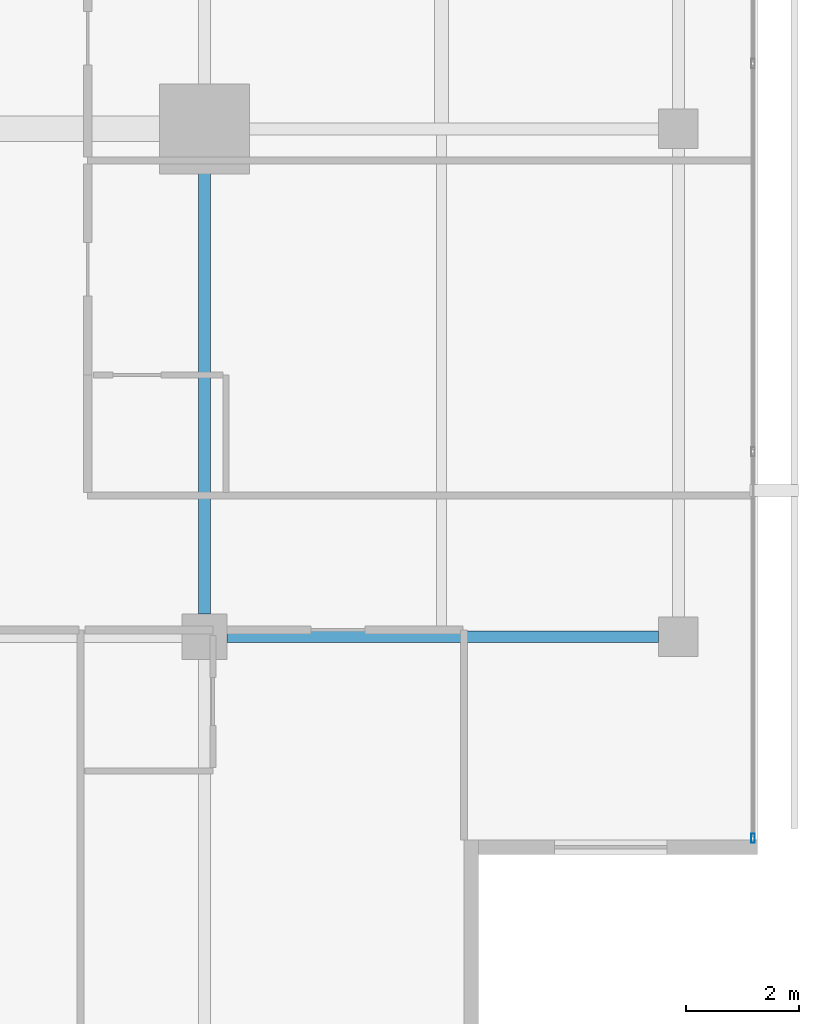
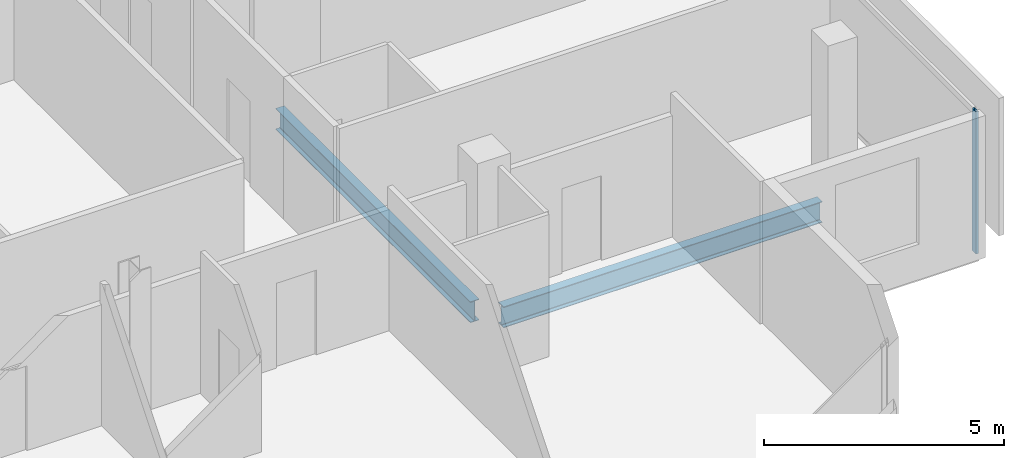
# One storey, part 11 of 26: 2 beams, 1 member, 1 element without a shape of its own.
"""IFC4 building model written with IfcOpenShell, lengths in metres."""

from ifc_helpers import new_model, si_unit, direction, frame, origin, origin_2d, place, context, subcontext, project, spatial, hollow_rectangle, i_section, extrude, material, layer, layer_set, material_profile, profile_set, type_object, element, aggregate, save


model = new_model("IFC4")

# Units and contexts
model_context = context("Model", 3, precision=1e-05, world=origin(), true_north=direction((0.0, 1.0)))
body_context = subcontext(model_context, "Body", "Model", "MODEL_VIEW")
ifc_project = project(units=[si_unit("LENGTHUNIT", "METRE"), si_unit("AREAUNIT", "SQUARE_METRE"), si_unit("VOLUMEUNIT", "CUBIC_METRE"), si_unit("PLANEANGLEUNIT", "RADIAN"), si_unit("MASSUNIT", "GRAM", prefix="KILO")], contexts=[model_context])

# Site, building, storey
site_placement = place(None, origin())
site = spatial("IfcSite", under=ifc_project, at=site_placement, CompositionType="ELEMENT")
building_placement = place(site_placement, origin())
building = spatial("IfcBuilding", under=site, at=building_placement, Name="Maruvema Waterfront Hotel and Observation Tower", CompositionType="ELEMENT")
storey_placement = place(building_placement, frame((0.0, 0.0, 266.35009765625)))
storey = spatial("IfcBuildingStorey", under=building, at=storey_placement, Name="L65", CompositionType="ELEMENT", Elevation=266.35009765625)

# Curtain wall, member
ifc_material_1 = material(Name="Anodised bronze aluminium and solar-control low-E IGU", Category="aluminium")
ifc_layer = layer(ifc_material_1, 0.159912109375, Name="Zone 3 Champagne Inner Thermal Curtain Wall System CW-04")
ifc_layer_set = layer_set([ifc_layer], Name="Anodised bronze aluminium and solar-control low-E IGU")
curtain_wall_type = type_object("IfcCurtainWallType", Name="Zone 3 Champagne Inner Thermal Curtain Wall System CW-04", PredefinedType="USERDEFINED", material=ifc_layer_set)
curtain_wall_placement = place(storey_placement, origin())
curtain_wall = element("IfcCurtainWall", 1, at=curtain_wall_placement, inside=storey, type_object=curtain_wall_type, Name="L65 Curtain Wall CW-L65-E", ObjectType="UNITISED CURTAIN WALL", PredefinedType="USERDEFINED")
ifc_material_2 = material(Name="Anodised architectural bronze aluminium", Category="aluminium")
ifc_material_profile_1 = material_profile(ifc_material_2, hollow_rectangle(XDim=0.06494140625, YDim=0.1650390625, WallThickness=0.00390625, at=origin_2d()), Name="ALU-M65x165")
ifc_profile_set_1 = profile_set([ifc_material_profile_1], Name="Anodised architectural bronze aluminium")
member_type = type_object("IfcMemberType", Name="Curtain Wall Primary Mullion ALU-M65x165", PredefinedType="MULLION", material=ifc_profile_set_1)
member_placement = place(storey_placement, frame((60.1201171875, 14.429931640625, 0.0), z_axis=(0.0, 0.0, 1.0), x_axis=(-1.0, 0.0, 0.0)))
member = element("IfcMember", 2, at=member_placement, type_object=member_type, Name="CW-04 mullion 1", PredefinedType="MULLION", context=body_context, shape_type="SweptSolid", body=[
    extrude(hollow_rectangle(XDim=0.06494140625, YDim=0.1650390625, WallThickness=0.00390625, at=origin_2d()), origin(), (0.0, 0.0, 1.0), 3.60986328125),
])
aggregate(curtain_wall, [member])

# Beams
ifc_material_3 = material(Name="Steel ASTM A572 Grade 50", Category="steel")
ifc_material_profile_2 = material_profile(ifc_material_3, i_section(OverallWidth=0.208984375, OverallDepth=0.532958984375, WebThickness=0.01025390625, FlangeThickness=0.015625, FilletRadius=0.014892578125, at=origin_2d()), Name="W530x92.0")
ifc_profile_set_2 = profile_set([ifc_material_profile_2], Name="Steel ASTM A572 Grade 50")
beam_type = type_object("IfcBeamType", Name="Primary Floor Girder W530x92.0", PredefinedType="BEAM", material=ifc_profile_set_2)
beam_1_placement = place(storey_placement, frame((50.800048828125, 18.0, -0.506591796875), z_axis=(1.0, 0.0, 0.0), x_axis=(0.0, 1.0, 0.0)))
element("IfcBeam", 3, at=beam_1_placement, inside=storey, type_object=beam_type, Name="L65 Floor Girder EW-08", PredefinedType="BEAM", context=body_context, shape_type="SweptSolid", body=[
    extrude(i_section(OverallWidth=0.208984375, OverallDepth=0.532958984375, WebThickness=0.01025390625, FlangeThickness=0.015625, FilletRadius=0.014892578125, at=origin_2d()), origin(), (0.0, 0.0, 1.0), 7.64990234375),
])
beam_2_placement = place(storey_placement, frame((50.39990234375, 18.39990234375, -0.506591796875), z_axis=(0.0, 1.0, 0.0), x_axis=(-1.0, 0.0, 0.0)))
element("IfcBeam", 4, at=beam_2_placement, inside=storey, type_object=beam_type, Name="L65 Floor Girder NS-13", PredefinedType="BEAM", context=body_context, shape_type="SweptSolid", body=[
    extrude(i_section(OverallWidth=0.208984375, OverallDepth=0.532958984375, WebThickness=0.01025390625, FlangeThickness=0.015625, FilletRadius=0.014892578125, at=origin_2d()), origin(), (0.0, 0.0, 1.0), 8.10009765625),
])

save(model, "model.ifc")
